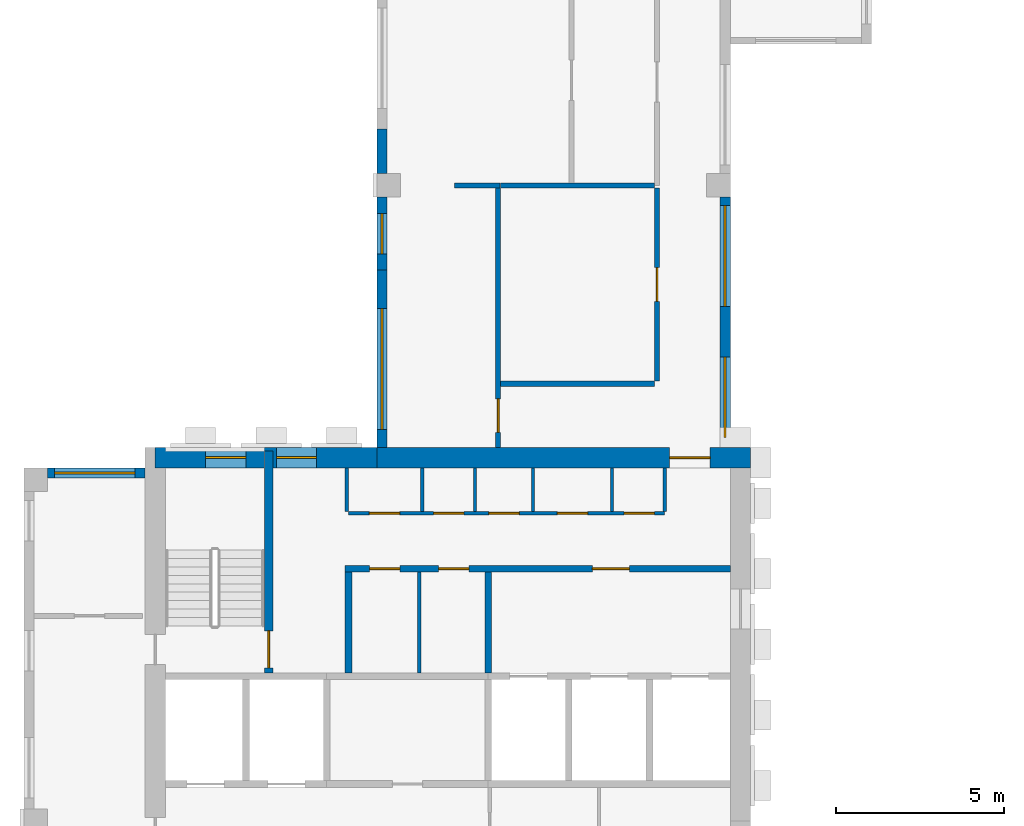
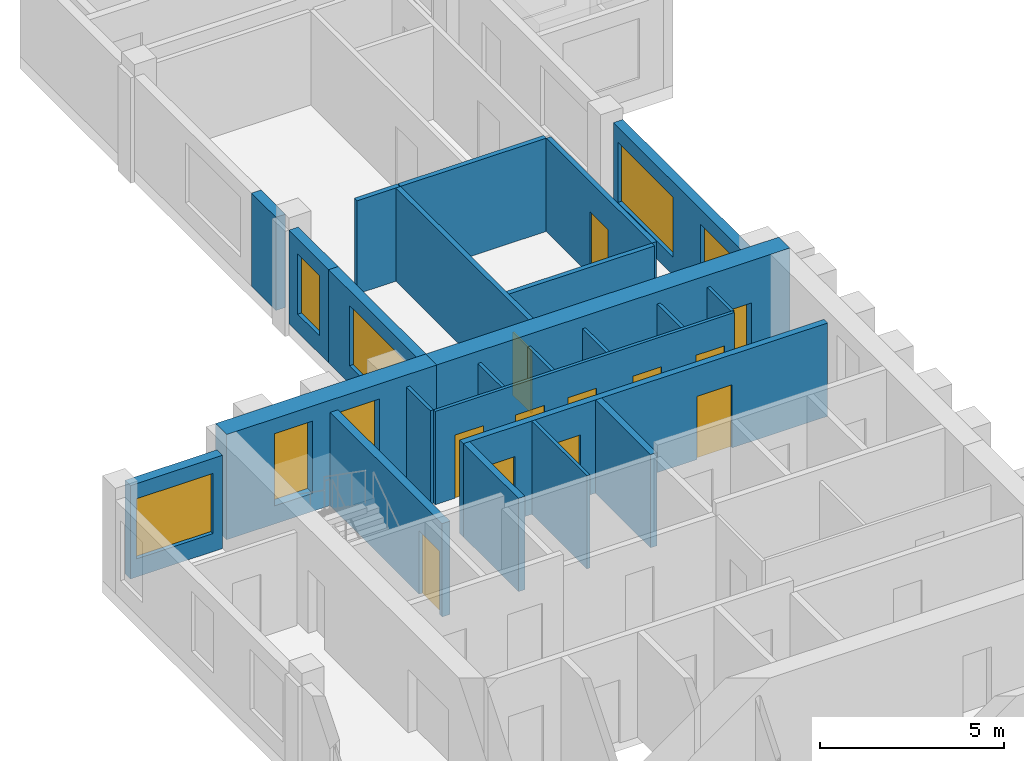
# One storey, part 3 of 8: 24 walls, 12 doors, 7 windows, 19 openings.
"""IFC4 building model written with IfcOpenShell, lengths in metres."""

from ifc_helpers import new_model, si_unit, direction, frame, frame_2d, origin, place, context, subcontext, project, spatial, rectangle, extrude, source, transform, mapped, material, layer, layer_set, type_object, element, fill, save


model = new_model("IFC4")

# Units and contexts
model_context = context("Model", 3, precision=1e-05, world=origin(), true_north=direction((0.0, 1.0)))
body_context = subcontext(model_context, "Body", "Model", "MODEL_VIEW")
ifc_project = project(units=[si_unit("LENGTHUNIT", "METRE"), si_unit("AREAUNIT", "SQUARE_METRE"), si_unit("VOLUMEUNIT", "CUBIC_METRE"), si_unit("PLANEANGLEUNIT", "RADIAN"), si_unit("MASSUNIT", "GRAM", prefix="KILO")], contexts=[model_context])

# Site, building, storey
site_placement = place(None, origin())
site = spatial("IfcSite", under=ifc_project, at=site_placement, CompositionType="ELEMENT")
building_placement = place(site_placement, origin())
building = spatial("IfcBuilding", under=site, at=building_placement, Name="Aurelian Terraces", CompositionType="ELEMENT")
storey_placement = place(building_placement, frame((0.0, 0.0, 302.0)))
storey = spatial("IfcBuildingStorey", under=building, at=storey_placement, Name="L69", CompositionType="ELEMENT", Elevation=302.0)

# Wall, opening, door
ifc_material_1 = material(Name="Concrete fc' 55 MPa", Category="concrete")
ifc_layer_1 = layer(ifc_material_1, 0.6)
ifc_layer_set_1 = layer_set([ifc_layer_1], Name="CORE WALL 600 FC55")
wall_type_1 = type_object("IfcWallType", Name="CORE WALL 600 FC55", PredefinedType="SHEAR", material=ifc_layer_set_1)
shared_shape_1 = source(origin(), body_context, "Body", "SweptSolid", [
    extrude(rectangle(XDim=11.1, YDim=0.6, at=frame_2d((5.55, 0.0))), origin(), (0.0, 0.0, 1.0), 3.5),
])
wall_1_placement = place(storey_placement, frame((10.5, 21.3, 0.0), z_axis=(0.0, 0.0, 1.0), x_axis=(1.0, 0.0, 0.0)))
wall_1 = element("IfcWall", 1, at=wall_1_placement, inside=storey, type_object=wall_type_1, Name="Core wall N L69", PredefinedType="SHEAR", context=body_context, shape_type="MappedRepresentation", body=[
    mapped(shared_shape_1, transform((0.0, 0.0, 0.0), scale=1.0)),
])
shared_shape_2 = source(origin(), body_context, "Body", "SweptSolid", [
    extrude(rectangle(XDim=1.2, YDim=2.1, at=frame_2d((0.6, 1.05))), frame((0.0, 0.31, 0.0), z_axis=(0.0, -1.0, 0.0), x_axis=(1.0, 0.0, 0.0)), (0.0, 0.0, 1.0), 0.62),
])
opening_1_placement = place(wall_1_placement, frame((8.7, 0.0, 0.0)))
opening_1 = element("IfcOpeningElement", 2, at=opening_1_placement, cuts=wall_1, Name="Opening 67229", PredefinedType="OPENING", context=body_context, shape_type="MappedRepresentation", body=[
    mapped(shared_shape_2, transform((0.0, 0.0, 0.0), scale=1.0)),
])
ifc_material_2 = material(Name="Steel door leaf", Category="steel")
door_type_1 = type_object("IfcDoorType", Name="Core fire door 1200x2100 right", OperationType="SINGLE_SWING_RIGHT", PredefinedType="DOOR", material=ifc_material_2)
shared_shape_3 = source(origin(), body_context, "Body", "SweptSolid", [
    extrude(rectangle(XDim=1.2, YDim=2.1, at=frame_2d((0.6, 1.05))), frame((0.0, 0.025, 0.0), z_axis=(0.0, -1.0, 0.0), x_axis=(1.0, 0.0, 0.0)), (0.0, 0.0, 1.0), 0.05),
])
door_1_placement = place(opening_1_placement, origin())
door_1 = element("IfcDoor", 3, at=door_1_placement, inside=storey, type_object=door_type_1, Name="Core door 67229", OperationType="SINGLE_SWING_RIGHT", OverallHeight=2.1, OverallWidth=1.2, PredefinedType="DOOR", context=body_context, shape_type="MappedRepresentation", body=[
    mapped(shared_shape_3, transform((0.0, 0.0, 0.0), scale=1.0)),
])
fill(opening_1, door_1)

# Wall, openings, windows
shared_shape_4 = source(origin(), body_context, "Body", "SweptSolid", [
    extrude(rectangle(XDim=6.6, YDim=0.6, at=frame_2d((3.3, 0.0))), origin(), (0.0, 0.0, 1.0), 3.5),
])
wall_2_placement = place(storey_placement, frame((3.9, 21.3, 0.0), z_axis=(0.0, 0.0, 1.0), x_axis=(1.0, 0.0, 0.0)))
wall_2 = element("IfcWall", 4, at=wall_2_placement, inside=storey, type_object=wall_type_1, Name="Core wall N L69 exposed", PredefinedType="SHEAR", context=body_context, shape_type="MappedRepresentation", body=[
    mapped(shared_shape_4, transform((0.0, 0.0, 0.0), scale=1.0)),
])
shared_shape_5 = source(origin(), body_context, "Body", "SweptSolid", [
    extrude(rectangle(XDim=1.2, YDim=2.4, at=frame_2d((0.6, 1.2))), frame((0.0, 0.31, 0.0), z_axis=(0.0, -1.0, 0.0), x_axis=(1.0, 0.0, 0.0)), (0.0, 0.0, 1.0), 0.62),
])
opening_2_placement = place(wall_2_placement, frame((1.5, 0.0, 0.6)))
opening_2 = element("IfcOpeningElement", 5, at=opening_2_placement, cuts=wall_2, Name="Opening W-CL", PredefinedType="OPENING", context=body_context, shape_type="MappedRepresentation", body=[
    mapped(shared_shape_5, transform((0.0, 0.0, 0.0), scale=1.0)),
])
opening_3_placement = place(wall_2_placement, frame((3.6, 0.0, 0.6)))
opening_3 = element("IfcOpeningElement", 6, at=opening_3_placement, cuts=wall_2, Name="Opening W-CL", PredefinedType="OPENING", context=body_context, shape_type="MappedRepresentation", body=[
    mapped(shared_shape_5, transform((0.0, 0.0, 0.0), scale=1.0)),
])
ifc_material_3 = material(Name="Fire-resisting glazing", Category="glass")
window_type_1 = type_object("IfcWindowType", Name="Core lobby window 1200x2400", PartitioningType="SINGLE_PANEL", PredefinedType="WINDOW", material=ifc_material_3)
shared_shape_6 = source(origin(), body_context, "Body", "SweptSolid", [
    extrude(rectangle(XDim=1.2, YDim=2.4, at=frame_2d((0.6, 1.2))), frame((0.0, 0.03, 0.0), z_axis=(0.0, -1.0, 0.0), x_axis=(1.0, 0.0, 0.0)), (0.0, 0.0, 1.0), 0.06),
])
window_1_placement = place(opening_2_placement, origin())
window_1 = element("IfcWindow", 7, at=window_1_placement, inside=storey, type_object=window_type_1, Name="Lobby window L69 N17", OverallHeight=2.4, OverallWidth=1.2, PartitioningType="SINGLE_PANEL", PredefinedType="WINDOW", context=body_context, shape_type="MappedRepresentation", body=[
    mapped(shared_shape_6, transform((0.0, 0.0, 0.0), scale=1.0)),
])
fill(opening_2, window_1)
window_2_placement = place(opening_3_placement, origin())
window_2 = element("IfcWindow", 8, at=window_2_placement, inside=storey, type_object=window_type_1, Name="Lobby window L69 N18", OverallHeight=2.4, OverallWidth=1.2, PartitioningType="SINGLE_PANEL", PredefinedType="WINDOW", context=body_context, shape_type="MappedRepresentation", body=[
    mapped(shared_shape_6, transform((0.0, 0.0, 0.0), scale=1.0)),
])
fill(opening_3, window_2)

ifc_material_4 = material(Name="Terracotta rainscreen cladding", Category="masonry")
ifc_layer_2 = layer(ifc_material_4, 0.3)
ifc_layer_set_2 = layer_set([ifc_layer_2], Name="EW-300")
wall_type_2 = type_object("IfcWallType", Name="EW-300", PredefinedType="STANDARD", material=ifc_layer_set_2)
shared_shape_7 = source(origin(), body_context, "Body", "SweptSolid", [
    extrude(rectangle(XDim=7.45, YDim=0.3, at=frame_2d((3.725, 0.0))), origin(), (0.0, 0.0, 1.0), 3.1),
])
wall_3_placement = place(storey_placement, frame((20.85, 21.6, 0.0), z_axis=(0.0, 0.0, 1.0), x_axis=(0.0, 1.0, 0.0)))
wall_3 = element("IfcWall", 9, at=wall_3_placement, inside=storey, type_object=wall_type_2, Name="External wall L69 F02.6", PredefinedType="STANDARD", context=body_context, shape_type="MappedRepresentation", body=[
    mapped(shared_shape_7, transform((0.0, 0.0, 0.0), scale=1.0)),
])
shared_shape_8 = source(origin(), body_context, "Body", "SweptSolid", [
    extrude(rectangle(XDim=2.4, YDim=2.0, at=frame_2d((1.2, 1.0))), frame((0.0, 0.16, 0.0), z_axis=(0.0, -1.0, 0.0), x_axis=(1.0, 0.0, 0.0)), (0.0, 0.0, 1.0), 0.32),
])
opening_4_placement = place(wall_3_placement, frame((0.3, 0.0, 0.6)))
opening_4 = element("IfcOpeningElement", 10, at=opening_4_placement, cuts=wall_3, Name="Opening W2420", PredefinedType="OPENING", context=body_context, shape_type="MappedRepresentation", body=[
    mapped(shared_shape_8, transform((0.0, 0.0, 0.0), scale=1.0)),
])
shared_shape_9 = source(origin(), body_context, "Body", "SweptSolid", [
    extrude(rectangle(XDim=3.0, YDim=2.0, at=frame_2d((1.5, 1.0))), frame((0.0, 0.16, 0.0), z_axis=(0.0, -1.0, 0.0), x_axis=(1.0, 0.0, 0.0)), (0.0, 0.0, 1.0), 0.32),
])
opening_5_placement = place(wall_3_placement, frame((4.2, 0.0, 0.6)))
opening_5 = element("IfcOpeningElement", 11, at=opening_5_placement, cuts=wall_3, Name="Opening W3020", PredefinedType="OPENING", context=body_context, shape_type="MappedRepresentation", body=[
    mapped(shared_shape_9, transform((0.0, 0.0, 0.0), scale=1.0)),
])
ifc_material_5 = material(Name="Clear glazing", Category="glass")
window_type_2 = type_object("IfcWindowType", Name="W-3000x2000", PartitioningType="SINGLE_PANEL", PredefinedType="WINDOW", material=ifc_material_5)
shared_shape_10 = source(origin(), body_context, "Body", "SweptSolid", [
    extrude(rectangle(XDim=3.0, YDim=2.0, at=frame_2d((1.5, 1.0))), frame((0.0, 0.03, 0.0), z_axis=(0.0, -1.0, 0.0), x_axis=(1.0, 0.0, 0.0)), (0.0, 0.0, 1.0), 0.06),
])
window_3_placement = place(opening_5_placement, origin())
window_3 = element("IfcWindow", 12, at=window_3_placement, inside=storey, type_object=window_type_2, Name="Window L69 L69-F02-06-1", OverallHeight=2.0, OverallWidth=3.0, PartitioningType="SINGLE_PANEL", PredefinedType="WINDOW", context=body_context, shape_type="MappedRepresentation", body=[
    mapped(shared_shape_10, transform((0.0, 0.0, 0.0), scale=1.0)),
])
fill(opening_5, window_3)
window_type_3 = type_object("IfcWindowType", Name="W-2400x2000", PartitioningType="SINGLE_PANEL", PredefinedType="WINDOW", material=ifc_material_5)
shared_shape_11 = source(origin(), body_context, "Body", "SweptSolid", [
    extrude(rectangle(XDim=2.4, YDim=2.0, at=frame_2d((1.2, 1.0))), frame((0.0, 0.03, 0.0), z_axis=(0.0, -1.0, 0.0), x_axis=(1.0, 0.0, 0.0)), (0.0, 0.0, 1.0), 0.06),
])
window_4_placement = place(opening_4_placement, origin())
window_4 = element("IfcWindow", 13, at=window_4_placement, inside=storey, type_object=window_type_3, Name="Window L69 L69-F02-06-0", OverallHeight=2.0, OverallWidth=2.4, PartitioningType="SINGLE_PANEL", PredefinedType="WINDOW", context=body_context, shape_type="MappedRepresentation", body=[
    mapped(shared_shape_11, transform((0.0, 0.0, 0.0), scale=1.0)),
])
fill(opening_4, window_4)

# Wall, opening, window
shared_shape_12 = source(origin(), body_context, "Body", "SweptSolid", [
    extrude(rectangle(XDim=2.9, YDim=0.3, at=frame_2d((1.45, 0.0))), origin(), (0.0, 0.0, 1.0), 3.1),
])
wall_4_placement = place(storey_placement, frame((3.6, 20.85, 0.0), z_axis=(0.0, 0.0, 1.0), x_axis=(-1.0, 0.0, 0.0)))
wall_4 = element("IfcWall", 14, at=wall_4_placement, inside=storey, type_object=wall_type_2, Name="External wall L69 F09.17", PredefinedType="STANDARD", context=body_context, shape_type="MappedRepresentation", body=[
    mapped(shared_shape_12, transform((0.0, 0.0, 0.0), scale=1.0)),
])
opening_6_placement = place(wall_4_placement, frame((0.3, 0.0, 0.6)))
opening_6 = element("IfcOpeningElement", 15, at=opening_6_placement, cuts=wall_4, Name="Opening W2420", PredefinedType="OPENING", context=body_context, shape_type="MappedRepresentation", body=[
    mapped(shared_shape_8, transform((0.0, 0.0, 0.0), scale=1.0)),
])
window_5_placement = place(opening_6_placement, origin())
window_5 = element("IfcWindow", 16, at=window_5_placement, inside=storey, type_object=window_type_3, Name="Window L69 L69-F09-17-0", OverallHeight=2.0, OverallWidth=2.4, PartitioningType="SINGLE_PANEL", PredefinedType="WINDOW", context=body_context, shape_type="MappedRepresentation", body=[
    mapped(shared_shape_11, transform((0.0, 0.0, 0.0), scale=1.0)),
])
fill(opening_6, window_5)

# Wall
shared_shape_13 = source(origin(), body_context, "Body", "SweptSolid", [
    extrude(rectangle(XDim=1.33, YDim=0.3, at=frame_2d((0.665, 0.0))), origin(), (0.0, 0.0, 1.0), 3.1),
])
wall_5_placement = place(storey_placement, frame((10.65, 31.08, 0.0), z_axis=(0.0, 0.0, 1.0), x_axis=(0.0, -1.0, 0.0)))
element("IfcWall", 17, at=wall_5_placement, inside=storey, type_object=wall_type_2, Name="External wall L69 F04.11", PredefinedType="STANDARD", context=body_context, shape_type="MappedRepresentation", body=[
    mapped(shared_shape_13, transform((0.0, 0.0, 0.0), scale=1.0)),
])

# Wall, opening, window
shared_shape_14 = source(origin(), body_context, "Body", "SweptSolid", [
    extrude(rectangle(XDim=2.17, YDim=0.3, at=frame_2d((1.085, 0.0))), origin(), (0.0, 0.0, 1.0), 3.1),
])
wall_6_placement = place(storey_placement, frame((10.65, 29.05, 0.0), z_axis=(0.0, 0.0, 1.0), x_axis=(0.0, -1.0, 0.0)))
wall_6 = element("IfcWall", 18, at=wall_6_placement, inside=storey, type_object=wall_type_2, Name="External wall L69 F04.11", PredefinedType="STANDARD", context=body_context, shape_type="MappedRepresentation", body=[
    mapped(shared_shape_14, transform((0.0, 0.0, 0.0), scale=1.0)),
])
shared_shape_15 = source(origin(), body_context, "Body", "SweptSolid", [
    extrude(rectangle(XDim=1.2, YDim=2.0, at=frame_2d((0.6, 1.0))), frame((0.0, 0.16, 0.0), z_axis=(0.0, -1.0, 0.0), x_axis=(1.0, 0.0, 0.0)), (0.0, 0.0, 1.0), 0.32),
])
opening_7_placement = place(wall_6_placement, frame((0.485, 0.0, 0.6)))
opening_7 = element("IfcOpeningElement", 19, at=opening_7_placement, cuts=wall_6, Name="Opening W1220", PredefinedType="OPENING", context=body_context, shape_type="MappedRepresentation", body=[
    mapped(shared_shape_15, transform((0.0, 0.0, 0.0), scale=1.0)),
])
window_type_4 = type_object("IfcWindowType", Name="W-1200x2000", PartitioningType="SINGLE_PANEL", PredefinedType="WINDOW", material=ifc_material_5)
shared_shape_16 = source(origin(), body_context, "Body", "SweptSolid", [
    extrude(rectangle(XDim=1.2, YDim=2.0, at=frame_2d((0.6, 1.0))), frame((0.0, 0.03, 0.0), z_axis=(0.0, -1.0, 0.0), x_axis=(1.0, 0.0, 0.0)), (0.0, 0.0, 1.0), 0.06),
])
window_6_placement = place(opening_7_placement, origin())
window_6 = element("IfcWindow", 20, at=window_6_placement, inside=storey, type_object=window_type_4, Name="Window L69 L69-F04-11-P1", OverallHeight=2.0, OverallWidth=1.2, PartitioningType="SINGLE_PANEL", PredefinedType="WINDOW", context=body_context, shape_type="MappedRepresentation", body=[
    mapped(shared_shape_16, transform((0.0, 0.0, 0.0), scale=1.0)),
])
fill(opening_7, window_6)

shared_shape_17 = source(origin(), body_context, "Body", "SweptSolid", [
    extrude(rectangle(XDim=5.28, YDim=0.3, at=frame_2d((2.64, 0.0))), origin(), (0.0, 0.0, 1.0), 3.1),
])
wall_7_placement = place(storey_placement, frame((10.65, 26.88, 0.0), z_axis=(0.0, 0.0, 1.0), x_axis=(0.0, -1.0, 0.0)))
wall_7 = element("IfcWall", 21, at=wall_7_placement, inside=storey, type_object=wall_type_2, Name="External wall L69 F04.12", PredefinedType="STANDARD", context=body_context, shape_type="MappedRepresentation", body=[
    mapped(shared_shape_17, transform((0.0, 0.0, 0.0), scale=1.0)),
])
shared_shape_18 = source(origin(), body_context, "Body", "SweptSolid", [
    extrude(rectangle(XDim=3.6, YDim=2.0, at=frame_2d((1.8, 1.0))), frame((0.0, 0.16, 0.0), z_axis=(0.0, -1.0, 0.0), x_axis=(1.0, 0.0, 0.0)), (0.0, 0.0, 1.0), 0.32),
])
opening_8_placement = place(wall_7_placement, frame((1.14, 0.0, 0.6)))
opening_8 = element("IfcOpeningElement", 22, at=opening_8_placement, cuts=wall_7, Name="Opening W3620", PredefinedType="OPENING", context=body_context, shape_type="MappedRepresentation", body=[
    mapped(shared_shape_18, transform((0.0, 0.0, 0.0), scale=1.0)),
])
window_type_5 = type_object("IfcWindowType", Name="W-3600x2000", PartitioningType="SINGLE_PANEL", PredefinedType="WINDOW", material=ifc_material_5)
shared_shape_19 = source(origin(), body_context, "Body", "SweptSolid", [
    extrude(rectangle(XDim=3.6, YDim=2.0, at=frame_2d((1.8, 1.0))), frame((0.0, 0.03, 0.0), z_axis=(0.0, -1.0, 0.0), x_axis=(1.0, 0.0, 0.0)), (0.0, 0.0, 1.0), 0.06),
])
window_7_placement = place(opening_8_placement, origin())
window_7 = element("IfcWindow", 23, at=window_7_placement, inside=storey, type_object=window_type_5, Name="Window L69 L69-F04-12-0", OverallHeight=2.0, OverallWidth=3.6, PartitioningType="SINGLE_PANEL", PredefinedType="WINDOW", context=body_context, shape_type="MappedRepresentation", body=[
    mapped(shared_shape_19, transform((0.0, 0.0, 0.0), scale=1.0)),
])
fill(opening_8, window_7)

# Walls
ifc_material_6 = material(Name="Gypsum board on steel studs", Category="steel")
ifc_layer_3 = layer(ifc_material_6, 0.2)
ifc_layer_set_3 = layer_set([ifc_layer_3], Name="Core partition 200")
wall_type_3 = type_object("IfcWallType", Name="Core partition 200", PredefinedType="PARTITIONING", material=ifc_layer_set_3)
shared_shape_20 = source(origin(), body_context, "Body", "SweptSolid", [
    extrude(rectangle(XDim=3.0, YDim=0.2, at=frame_2d((1.5, 0.0))), origin(), (0.0, 0.0, 1.0), 3.1),
])
for number, where, z_axis, x_axis, name in (
    (24, (9.65, 14.9, 0.0), (0.0, 0.0, 1.0), (0.0, 1.0, 0.0), "L69 core wall CP-VEST"),
    (25, (13.8, 14.9, 0.0), (0.0, 0.0, 1.0), (0.0, 1.0, 0.0), "L69 core wall CP-FFL"),
):
    element("IfcWall", number, at=place(storey_placement, frame(where, z_axis=z_axis, x_axis=x_axis)), inside=storey, type_object=wall_type_3, Name=name, PredefinedType="PARTITIONING", context=body_context, shape_type="MappedRepresentation", body=[
        mapped(shared_shape_20, transform((0.0, 0.0, 0.0), scale=1.0)),
    ])

# Wall, opening, door
ifc_material_7 = material(Name="Concrete fc' 40 MPa", Category="concrete")
ifc_layer_4 = layer(ifc_material_7, 0.25)
ifc_layer_set_4 = layer_set([ifc_layer_4], Name="Stair enclosure wall 250")
wall_type_4 = type_object("IfcWallType", Name="Stair enclosure wall 250", PredefinedType="SOLIDWALL", material=ifc_layer_set_4)
shared_shape_21 = source(origin(), body_context, "Body", "SweptSolid", [
    extrude(rectangle(XDim=6.6, YDim=0.25, at=frame_2d((3.3, 0.0))), origin(), (0.0, 0.0, 1.0), 3.1),
])
wall_8_placement = place(storey_placement, frame((7.275, 14.9, 0.0), z_axis=(0.0, 0.0, 1.0), x_axis=(0.0, 1.0, 0.0)))
wall_8 = element("IfcWall", 26, at=wall_8_placement, inside=storey, type_object=wall_type_4, Name="L69 core wall ST-S1-E", PredefinedType="SOLIDWALL", context=body_context, shape_type="MappedRepresentation", body=[
    mapped(shared_shape_21, transform((0.0, 0.0, 0.0), scale=1.0)),
])
shared_shape_22 = source(origin(), body_context, "Body", "SweptSolid", [
    extrude(rectangle(XDim=1.1, YDim=2.1, at=frame_2d((0.55, 1.05))), frame((0.0, 0.135, 0.0), z_axis=(0.0, -1.0, 0.0), x_axis=(1.0, 0.0, 0.0)), (0.0, 0.0, 1.0), 0.27),
])
opening_9_placement = place(wall_8_placement, frame((0.15, 0.0, 0.0)))
opening_9 = element("IfcOpeningElement", 27, at=opening_9_placement, cuts=wall_8, Name="Opening 67211", PredefinedType="OPENING", context=body_context, shape_type="MappedRepresentation", body=[
    mapped(shared_shape_22, transform((0.0, 0.0, 0.0), scale=1.0)),
])
door_type_2 = type_object("IfcDoorType", Name="Core fire door 1100x2100 right", OperationType="SINGLE_SWING_RIGHT", PredefinedType="DOOR", material=ifc_material_2)
shared_shape_23 = source(origin(), body_context, "Body", "SweptSolid", [
    extrude(rectangle(XDim=1.1, YDim=2.1, at=frame_2d((0.55, 1.05))), frame((0.0, 0.025, 0.0), z_axis=(0.0, -1.0, 0.0), x_axis=(1.0, 0.0, 0.0)), (0.0, 0.0, 1.0), 0.05),
])
door_2_placement = place(opening_9_placement, origin())
door_2 = element("IfcDoor", 28, at=door_2_placement, inside=storey, type_object=door_type_2, Name="Stair door 67211", OperationType="SINGLE_SWING_RIGHT", OverallHeight=2.1, OverallWidth=1.1, PredefinedType="DOOR", context=body_context, shape_type="MappedRepresentation", body=[
    mapped(shared_shape_23, transform((0.0, 0.0, 0.0), scale=1.0)),
])
fill(opening_9, door_2)

# Wall, openings, doors
shared_shape_24 = source(origin(), body_context, "Body", "SweptSolid", [
    extrude(rectangle(XDim=11.45, YDim=0.2, at=frame_2d((5.725, 0.0))), origin(), (0.0, 0.0, 1.0), 3.1),
])
wall_9_placement = place(storey_placement, frame((9.55, 18.0, 0.0), z_axis=(0.0, 0.0, 1.0), x_axis=(1.0, 0.0, 0.0)))
wall_9 = element("IfcWall", 29, at=wall_9_placement, inside=storey, type_object=wall_type_3, Name="L69 core wall CP-NORTH", PredefinedType="PARTITIONING", context=body_context, shape_type="MappedRepresentation", body=[
    mapped(shared_shape_24, transform((0.0, 0.0, 0.0), scale=1.0)),
])
shared_shape_25 = source(origin(), body_context, "Body", "SweptSolid", [
    extrude(rectangle(XDim=0.9, YDim=2.1, at=frame_2d((0.45, 1.05))), frame((0.0, 0.11, 0.0), z_axis=(0.0, -1.0, 0.0), x_axis=(1.0, 0.0, 0.0)), (0.0, 0.0, 1.0), 0.22),
])
opening_10_placement = place(wall_9_placement, frame((0.725, 0.0, 0.0)))
opening_10 = element("IfcOpeningElement", 30, at=opening_10_placement, cuts=wall_9, Name="Opening 67212", PredefinedType="OPENING", context=body_context, shape_type="MappedRepresentation", body=[
    mapped(shared_shape_25, transform((0.0, 0.0, 0.0), scale=1.0)),
])
opening_11_placement = place(wall_9_placement, frame((2.775, 0.0, 0.0)))
opening_11 = element("IfcOpeningElement", 31, at=opening_11_placement, cuts=wall_9, Name="Opening 67213", PredefinedType="OPENING", context=body_context, shape_type="MappedRepresentation", body=[
    mapped(shared_shape_25, transform((0.0, 0.0, 0.0), scale=1.0)),
])
shared_shape_26 = source(origin(), body_context, "Body", "SweptSolid", [
    extrude(rectangle(XDim=1.1, YDim=2.1, at=frame_2d((0.55, 1.05))), frame((0.0, 0.11, 0.0), z_axis=(0.0, -1.0, 0.0), x_axis=(1.0, 0.0, 0.0)), (0.0, 0.0, 1.0), 0.22),
])
opening_12_placement = place(wall_9_placement, frame((7.35, 0.0, 0.0)))
opening_12 = element("IfcOpeningElement", 32, at=opening_12_placement, cuts=wall_9, Name="Opening 67214", PredefinedType="OPENING", context=body_context, shape_type="MappedRepresentation", body=[
    mapped(shared_shape_26, transform((0.0, 0.0, 0.0), scale=1.0)),
])
door_type_3 = type_object("IfcDoorType", Name="Core service door 900x2100", OperationType="SINGLE_SWING_LEFT", PredefinedType="DOOR", material=ifc_material_2)
shared_shape_27 = source(origin(), body_context, "Body", "SweptSolid", [
    extrude(rectangle(XDim=0.9, YDim=2.1, at=frame_2d((0.45, 1.05))), frame((0.0, 0.025, 0.0), z_axis=(0.0, -1.0, 0.0), x_axis=(1.0, 0.0, 0.0)), (0.0, 0.0, 1.0), 0.05),
])
door_3_placement = place(opening_10_placement, origin())
door_3 = element("IfcDoor", 33, at=door_3_placement, inside=storey, type_object=door_type_3, Name="Room door 67212", OperationType="SINGLE_SWING_LEFT", OverallHeight=2.1, OverallWidth=0.9, PredefinedType="DOOR", context=body_context, shape_type="MappedRepresentation", body=[
    mapped(shared_shape_27, transform((0.0, 0.0, 0.0), scale=1.0)),
])
fill(opening_10, door_3)
door_type_4 = type_object("IfcDoorType", Name="Core service door 900x2100 right", OperationType="SINGLE_SWING_RIGHT", PredefinedType="DOOR", material=ifc_material_2)
door_4_placement = place(opening_11_placement, origin())
door_4 = element("IfcDoor", 34, at=door_4_placement, inside=storey, type_object=door_type_4, Name="Room door 67213", OperationType="SINGLE_SWING_RIGHT", OverallHeight=2.1, OverallWidth=0.9, PredefinedType="DOOR", context=body_context, shape_type="MappedRepresentation", body=[
    mapped(shared_shape_27, transform((0.0, 0.0, 0.0), scale=1.0)),
])
fill(opening_11, door_4)
door_type_5 = type_object("IfcDoorType", Name="Core fire door 1100x2100", OperationType="SINGLE_SWING_LEFT", PredefinedType="DOOR", material=ifc_material_2)
door_5_placement = place(opening_12_placement, origin())
door_5 = element("IfcDoor", 35, at=door_5_placement, inside=storey, type_object=door_type_5, Name="Ff lobby door 67214", OperationType="SINGLE_SWING_LEFT", OverallHeight=2.1, OverallWidth=1.1, PredefinedType="DOOR", context=body_context, shape_type="MappedRepresentation", body=[
    mapped(shared_shape_23, transform((0.0, 0.0, 0.0), scale=1.0)),
])
fill(opening_12, door_5)

# Walls
ifc_layer_5 = layer(ifc_material_6, 0.1)
ifc_layer_set_5 = layer_set([ifc_layer_5], Name="Core partition 100")
wall_type_5 = type_object("IfcWallType", Name="Core partition 100", PredefinedType="PARTITIONING", material=ifc_layer_set_5)
shared_shape_28 = source(origin(), body_context, "Body", "SweptSolid", [
    extrude(rectangle(XDim=3.0, YDim=0.1, at=frame_2d((1.5, 0.0))), origin(), (0.0, 0.0, 1.0), 3.1),
])
wall_10_placement = place(storey_placement, frame((11.75, 14.9, 0.0), z_axis=(0.0, 0.0, 1.0), x_axis=(0.0, 1.0, 0.0)))
element("IfcWall", 36, at=wall_10_placement, inside=storey, type_object=wall_type_5, Name="L69 core wall CP-SV1", PredefinedType="PARTITIONING", context=body_context, shape_type="MappedRepresentation", body=[
    mapped(shared_shape_28, transform((0.0, 0.0, 0.0), scale=1.0)),
])
shared_shape_29 = source(origin(), body_context, "Body", "SweptSolid", [
    extrude(rectangle(XDim=1.3, YDim=0.1, at=frame_2d((0.65, 0.0))), origin(), (0.0, 0.0, 1.0), 3.1),
])
for number, where, z_axis, x_axis, name in (
    (37, (11.8433, 19.7, 0.0), (0.0, 0.0, 1.0), (0.0, 1.0, 0.0), "L69 core wall SV-NP1"),
    (38, (13.41, 19.7, 0.0), (0.0, 0.0, 1.0), (0.0, 1.0, 0.0), "L69 core wall SV-NP2"),
    (39, (15.1333, 19.7, 0.0), (0.0, 0.0, 1.0), (0.0, 1.0, 0.0), "L69 core wall SV-NP3"),
    (40, (17.4833, 19.7, 0.0), (0.0, 0.0, 1.0), (0.0, 1.0, 0.0), "L69 core wall SV-NP4"),
    (41, (9.6, 19.7, 0.0), (0.0, 0.0, 1.0), (0.0, 1.0, 0.0), "L69 core wall SV-NW0"),
    (42, (19.05, 19.7, 0.0), (0.0, 0.0, 1.0), (0.0, 1.0, 0.0), "L69 core wall SV-NW1"),
):
    element("IfcWall", number, at=place(storey_placement, frame(where, z_axis=z_axis, x_axis=x_axis)), inside=storey, type_object=wall_type_5, Name=name, PredefinedType="PARTITIONING", context=body_context, shape_type="MappedRepresentation", body=[
        mapped(shared_shape_29, transform((0.0, 0.0, 0.0), scale=1.0)),
    ])

# Wall, openings, doors
shared_shape_30 = source(origin(), body_context, "Body", "SweptSolid", [
    extrude(rectangle(XDim=9.4, YDim=0.1, at=frame_2d((4.7, 0.0))), origin(), (0.0, 0.0, 1.0), 3.1),
])
wall_11_placement = place(storey_placement, frame((9.65, 19.65, 0.0), z_axis=(0.0, 0.0, 1.0), x_axis=(1.0, 0.0, 0.0)))
wall_11 = element("IfcWall", 43, at=wall_11_placement, inside=storey, type_object=wall_type_5, Name="L69 core wall SV-N1", PredefinedType="PARTITIONING", context=body_context, shape_type="MappedRepresentation", body=[
    mapped(shared_shape_30, transform((0.0, 0.0, 0.0), scale=1.0)),
])
shared_shape_31 = source(origin(), body_context, "Body", "SweptSolid", [
    extrude(rectangle(XDim=0.9, YDim=2.1, at=frame_2d((0.45, 1.05))), frame((0.0, 0.06, 0.0), z_axis=(0.0, -1.0, 0.0), x_axis=(1.0, 0.0, 0.0)), (0.0, 0.0, 1.0), 0.12),
])
opening_13_placement = place(wall_11_placement, frame((0.6216, 0.0, 0.0)))
opening_13 = element("IfcOpeningElement", 44, at=opening_13_placement, cuts=wall_11, Name="Opening 67215", PredefinedType="OPENING", context=body_context, shape_type="MappedRepresentation", body=[
    mapped(shared_shape_31, transform((0.0, 0.0, 0.0), scale=1.0)),
])
opening_14_placement = place(wall_11_placement, frame((2.5266, 0.0, 0.0)))
opening_14 = element("IfcOpeningElement", 45, at=opening_14_placement, cuts=wall_11, Name="Opening 67216", PredefinedType="OPENING", context=body_context, shape_type="MappedRepresentation", body=[
    mapped(shared_shape_31, transform((0.0, 0.0, 0.0), scale=1.0)),
])
opening_15_placement = place(wall_11_placement, frame((4.1717, 0.0, 0.0)))
opening_15 = element("IfcOpeningElement", 46, at=opening_15_placement, cuts=wall_11, Name="Opening 67217", PredefinedType="OPENING", context=body_context, shape_type="MappedRepresentation", body=[
    mapped(shared_shape_31, transform((0.0, 0.0, 0.0), scale=1.0)),
])
opening_16_placement = place(wall_11_placement, frame((6.2083, 0.0, 0.0)))
opening_16 = element("IfcOpeningElement", 47, at=opening_16_placement, cuts=wall_11, Name="Opening 67218", PredefinedType="OPENING", context=body_context, shape_type="MappedRepresentation", body=[
    mapped(shared_shape_31, transform((0.0, 0.0, 0.0), scale=1.0)),
])
opening_17_placement = place(wall_11_placement, frame((8.1917, 0.0, 0.0)))
opening_17 = element("IfcOpeningElement", 48, at=opening_17_placement, cuts=wall_11, Name="Opening 67219", PredefinedType="OPENING", context=body_context, shape_type="MappedRepresentation", body=[
    mapped(shared_shape_31, transform((0.0, 0.0, 0.0), scale=1.0)),
])
door_6_placement = place(opening_13_placement, origin())
door_6 = element("IfcDoor", 49, at=door_6_placement, inside=storey, type_object=door_type_4, Name="Room door 67215", OperationType="SINGLE_SWING_RIGHT", OverallHeight=2.1, OverallWidth=0.9, PredefinedType="DOOR", context=body_context, shape_type="MappedRepresentation", body=[
    mapped(shared_shape_27, transform((0.0, 0.0, 0.0), scale=1.0)),
])
fill(opening_13, door_6)
door_7_placement = place(opening_14_placement, origin())
door_7 = element("IfcDoor", 50, at=door_7_placement, inside=storey, type_object=door_type_3, Name="Room door 67216", OperationType="SINGLE_SWING_LEFT", OverallHeight=2.1, OverallWidth=0.9, PredefinedType="DOOR", context=body_context, shape_type="MappedRepresentation", body=[
    mapped(shared_shape_27, transform((0.0, 0.0, 0.0), scale=1.0)),
])
fill(opening_14, door_7)
door_8_placement = place(opening_15_placement, origin())
door_8 = element("IfcDoor", 51, at=door_8_placement, inside=storey, type_object=door_type_4, Name="Room door 67217", OperationType="SINGLE_SWING_RIGHT", OverallHeight=2.1, OverallWidth=0.9, PredefinedType="DOOR", context=body_context, shape_type="MappedRepresentation", body=[
    mapped(shared_shape_27, transform((0.0, 0.0, 0.0), scale=1.0)),
])
fill(opening_15, door_8)
door_9_placement = place(opening_16_placement, origin())
door_9 = element("IfcDoor", 52, at=door_9_placement, inside=storey, type_object=door_type_3, Name="Room door 67218", OperationType="SINGLE_SWING_LEFT", OverallHeight=2.1, OverallWidth=0.9, PredefinedType="DOOR", context=body_context, shape_type="MappedRepresentation", body=[
    mapped(shared_shape_27, transform((0.0, 0.0, 0.0), scale=1.0)),
])
fill(opening_16, door_9)
door_10_placement = place(opening_17_placement, origin())
door_10 = element("IfcDoor", 53, at=door_10_placement, inside=storey, type_object=door_type_4, Name="Room door 67219", OperationType="SINGLE_SWING_RIGHT", OverallHeight=2.1, OverallWidth=0.9, PredefinedType="DOOR", context=body_context, shape_type="MappedRepresentation", body=[
    mapped(shared_shape_27, transform((0.0, 0.0, 0.0), scale=1.0)),
])
fill(opening_17, door_10)

# Walls
ifc_layer_6 = layer(ifc_material_6, 0.15)
ifc_layer_set_6 = layer_set([ifc_layer_6], Name="Partition 150")
wall_type_6 = type_object("IfcWallType", Name="Partition 150", PredefinedType="PARTITIONING", material=ifc_layer_set_6)
shared_shape_32 = source(origin(), body_context, "Body", "SweptSolid", [
    extrude(rectangle(XDim=4.575, YDim=0.15, at=frame_2d((2.2875, 0.0))), origin(), (0.0, 0.0, 1.0), 3.1),
])
for number, where, z_axis, x_axis, name in (
    (54, (14.175, 23.5, 0.0), (0.0, 0.0, 1.0), (1.0, 0.0, 0.0), "Partition"),
    (55, (18.75, 29.4, 0.0), (0.0, 0.0, 1.0), (-1.0, 0.0, 0.0), "Partition"),
):
    element("IfcWall", number, at=place(storey_placement, frame(where, z_axis=z_axis, x_axis=x_axis)), inside=storey, type_object=wall_type_6, Name=name, PredefinedType="PARTITIONING", context=body_context, shape_type="MappedRepresentation", body=[
        mapped(shared_shape_32, transform((0.0, 0.0, 0.0), scale=1.0)),
    ])

# Wall, opening, door
ifc_layer_7 = layer(ifc_material_6, 0.15)
ifc_layer_set_7 = layer_set([ifc_layer_7], Name="Fire partition 150")
wall_type_7 = type_object("IfcWallType", Name="Fire partition 150", PredefinedType="PARTITIONING", material=ifc_layer_set_7)
shared_shape_33 = source(origin(), body_context, "Body", "SweptSolid", [
    extrude(rectangle(XDim=5.75, YDim=0.15, at=frame_2d((2.875, 0.0))), origin(), (0.0, 0.0, 1.0), 3.1),
])
wall_12_placement = place(storey_placement, frame((18.825, 23.575, 0.0), z_axis=(0.0, 0.0, 1.0), x_axis=(0.0, 1.0, 0.0)))
wall_12 = element("IfcWall", 56, at=wall_12_placement, inside=storey, type_object=wall_type_7, Name="Corridor wall", PredefinedType="PARTITIONING", context=body_context, shape_type="MappedRepresentation", body=[
    mapped(shared_shape_33, transform((0.0, 0.0, 0.0), scale=1.0)),
])
shared_shape_34 = source(origin(), body_context, "Body", "SweptSolid", [
    extrude(rectangle(XDim=1.0, YDim=2.1, at=frame_2d((0.5, 1.05))), frame((0.0, 0.085, 0.0), z_axis=(0.0, -1.0, 0.0), x_axis=(1.0, 0.0, 0.0)), (0.0, 0.0, 1.0), 0.17),
])
opening_18_placement = place(wall_12_placement, frame((2.375, 0.0, 0.0)))
opening_18 = element("IfcOpeningElement", 57, at=opening_18_placement, cuts=wall_12, Name="Opening 769003", PredefinedType="OPENING", context=body_context, shape_type="MappedRepresentation", body=[
    mapped(shared_shape_34, transform((0.0, 0.0, 0.0), scale=1.0)),
])
door_type_6 = type_object("IfcDoorType", Name="Entrance fire door 1000x2100 right", OperationType="SINGLE_SWING_RIGHT", PredefinedType="DOOR", material=ifc_material_2)
shared_shape_35 = source(origin(), body_context, "Body", "SweptSolid", [
    extrude(rectangle(XDim=1.0, YDim=2.1, at=frame_2d((0.5, 1.05))), frame((0.0, 0.025, 0.0), z_axis=(0.0, -1.0, 0.0), x_axis=(1.0, 0.0, 0.0)), (0.0, 0.0, 1.0), 0.05),
])
door_11_placement = place(opening_18_placement, origin())
door_11 = element("IfcDoor", 58, at=door_11_placement, inside=storey, type_object=door_type_6, Name="Door 769003", OperationType="SINGLE_SWING_RIGHT", OverallHeight=2.1, OverallWidth=1.0, PredefinedType="DOOR", context=body_context, shape_type="MappedRepresentation", body=[
    mapped(shared_shape_35, transform((0.0, 0.0, 0.0), scale=1.0)),
])
fill(opening_18, door_11)

shared_shape_36 = source(origin(), body_context, "Body", "SweptSolid", [
    extrude(rectangle(XDim=7.725, YDim=0.15, at=frame_2d((3.8625, 0.0))), origin(), (0.0, 0.0, 1.0), 3.1),
])
wall_13_placement = place(storey_placement, frame((14.1, 29.325, 0.0), z_axis=(0.0, 0.0, 1.0), x_axis=(0.0, -1.0, 0.0)))
wall_13 = element("IfcWall", 59, at=wall_13_placement, inside=storey, type_object=wall_type_6, Name="Partition", PredefinedType="PARTITIONING", context=body_context, shape_type="MappedRepresentation", body=[
    mapped(shared_shape_36, transform((0.0, 0.0, 0.0), scale=1.0)),
])
opening_19_placement = place(wall_13_placement, frame((6.275, 0.0, 0.0)))
opening_19 = element("IfcOpeningElement", 60, at=opening_19_placement, cuts=wall_13, Name="Opening 769005", PredefinedType="OPENING", context=body_context, shape_type="MappedRepresentation", body=[
    mapped(shared_shape_34, transform((0.0, 0.0, 0.0), scale=1.0)),
])
ifc_material_8 = material(Name="Timber door leaf", Category="wood")
door_type_7 = type_object("IfcDoorType", Name="Room door 1000x2100 left", OperationType="SINGLE_SWING_LEFT", PredefinedType="DOOR", material=ifc_material_8)
door_12_placement = place(opening_19_placement, origin())
door_12 = element("IfcDoor", 61, at=door_12_placement, inside=storey, type_object=door_type_7, Name="Door 769005", OperationType="SINGLE_SWING_LEFT", OverallHeight=2.1, OverallWidth=1.0, PredefinedType="DOOR", context=body_context, shape_type="MappedRepresentation", body=[
    mapped(shared_shape_35, transform((0.0, 0.0, 0.0), scale=1.0)),
])
fill(opening_19, door_12)

# Wall
shared_shape_37 = source(origin(), body_context, "Body", "SweptSolid", [
    extrude(rectangle(XDim=1.35, YDim=0.15, at=frame_2d((0.675, 0.0))), origin(), (0.0, 0.0, 1.0), 3.1),
])
wall_14_placement = place(storey_placement, frame((14.155, 29.4, 0.0), z_axis=(0.0, 0.0, 1.0), x_axis=(-1.0, 0.0, 0.0)))
element("IfcWall", 62, at=wall_14_placement, inside=storey, type_object=wall_type_7, Name="Party wall", PredefinedType="PARTITIONING", context=body_context, shape_type="MappedRepresentation", body=[
    mapped(shared_shape_37, transform((0.0, 0.0, 0.0), scale=1.0)),
])

save(model, "model.ifc")
